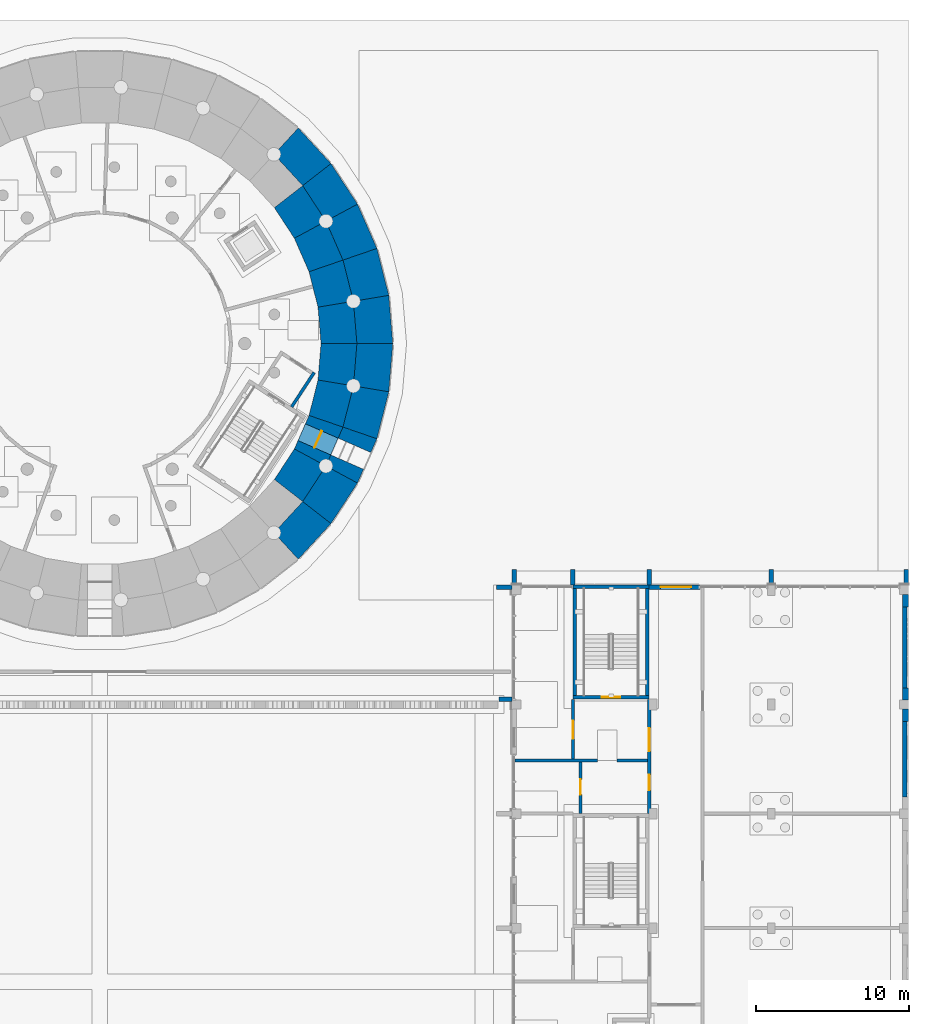
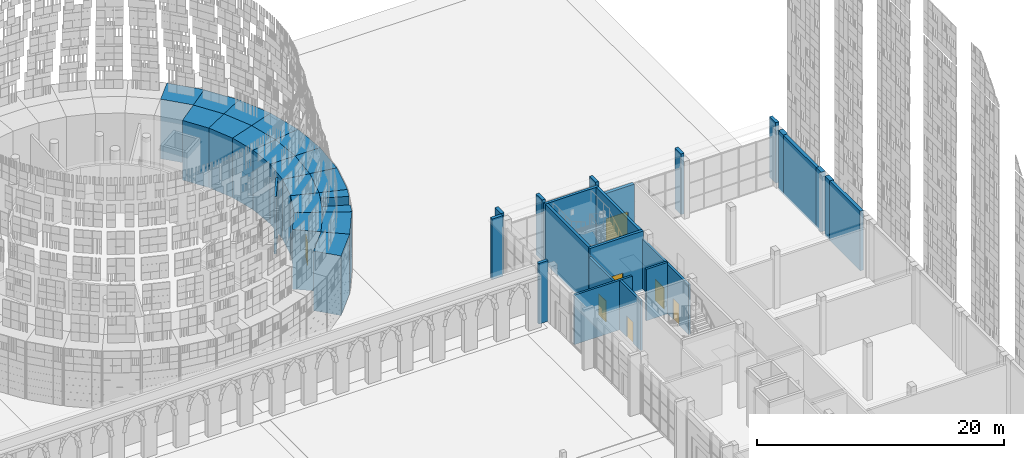
# One storey, part 59 of 125: 42 walls, 7 doors, 7 openings.
"""IFC4 building model written with IfcOpenShell, lengths in metres."""

from ifc_helpers import new_model, si_unit, direction, frame, frame_2d, origin, place, context, subcontext, project, spatial, polyline, rectangle, outline, extrude, material, layer, layer_set, type_object, element, fill, save


model = new_model("IFC4")

# Units and contexts
model_context = context("Model", 3, precision=1e-05, world=origin(), true_north=direction((0.0, 1.0)))
body_context = subcontext(model_context, "Body", "Model", "MODEL_VIEW")
ifc_project = project(units=[si_unit("LENGTHUNIT", "METRE"), si_unit("AREAUNIT", "SQUARE_METRE"), si_unit("VOLUMEUNIT", "CUBIC_METRE"), si_unit("PLANEANGLEUNIT", "RADIAN"), si_unit("MASSUNIT", "GRAM", prefix="KILO")], contexts=[model_context])

# Site, building, storey
site_placement = place(None, origin())
site = spatial("IfcSite", under=ifc_project, at=site_placement, CompositionType="ELEMENT")
building_placement = place(site_placement, origin())
building = spatial("IfcBuilding", under=site, at=building_placement, Name="Sun Court Science Centre", CompositionType="ELEMENT")
storey_placement = place(building_placement, origin())
storey = spatial("IfcBuildingStorey", under=building, at=storey_placement, Name="L00", CompositionType="ELEMENT", Elevation=0.0)

# Wall, opening, door
ifc_material_1 = material(Name="Clay masonry", Category="masonry")
ifc_layer_1 = layer(ifc_material_1, 0.300048828125)
ifc_layer_set_1 = layer_set([ifc_layer_1], Name="Clay masonry")
wall_type_1 = type_object("IfcWallType", Name="Clay masonry infill wall 300", PredefinedType="SOLIDWALL", material=ifc_layer_set_1)
wall_1_placement = place(storey_placement, frame((87.0, 80.85009765625, 0.0), z_axis=(0.0, 0.0, 1.0), x_axis=(1.0, 0.0, 0.0)))
wall_1 = element("IfcWall", 1, at=wall_1_placement, inside=storey, type_object=wall_type_1, Name="External infill wall L00 north face 01", PredefinedType="SOLIDWALL", context=body_context, shape_type="SweptSolid", body=[
    extrude(rectangle(XDim=3.31005859375, YDim=0.300048828125, at=frame_2d((1.655029296875, 0.0))), origin(), (0.0, 0.0, 1.0), 4.800048828125),
])
opening_1_placement = place(wall_1_placement, frame((0.75, 0.0, 0.0)))
opening_1 = element("IfcOpeningElement", 2, at=opening_1_placement, cuts=wall_1, Name="Opening D-L00-060", PredefinedType="OPENING", context=body_context, shape_type="SweptSolid", body=[
    extrude(rectangle(XDim=2.0, YDim=2.199951171875, at=frame_2d((1.0, 1.10009765625))), frame((0.0, 0.159912109375, 0.0), z_axis=(0.0, -1.0, 0.0), x_axis=(1.0, 0.0, 0.0)), (0.0, 0.0, 1.0), 0.320068359375),
])
ifc_material_2 = material(Name="Steel and glass", Category="steel")
door_type_1 = type_object("IfcDoorType", Name="Exterior door 2000 x 2200 double", OperationType="DOUBLE_DOOR_SINGLE_SWING", PredefinedType="DOOR", material=ifc_material_2)
door_1_placement = place(opening_1_placement, origin())
door_1 = element("IfcDoor", 3, at=door_1_placement, inside=storey, type_object=door_type_1, Name="Exterior door D-L00-060 to the rear service court", OperationType="SINGLE_SWING_LEFT", OverallHeight=2.199951171875, OverallWidth=2.0, PredefinedType="DOOR", context=body_context, shape_type="SweptSolid", body=[
    extrude(rectangle(XDim=2.0, YDim=2.199951171875, at=frame_2d((1.0, 1.10009765625))), frame((0.0, 0.02490234375, 0.0), z_axis=(0.0, -1.0, 0.0), x_axis=(1.0, 0.0, 0.0)), (0.0, 0.0, 1.0), 0.050048828125),
])
fill(opening_1, door_1)

# Walls
ifc_material_3 = material(Name="Concrete C30/37", Category="concrete")
ifc_layer_2 = layer(ifc_material_3, 0.300048828125)
ifc_layer_set_2 = layer_set([ifc_layer_2], Name="Concrete C30/37")
wall_type_2 = type_object("IfcWallType", Name="Facade fin RC 300", PredefinedType="SOLIDWALL", material=ifc_layer_set_2)
wall_2_placement = place(storey_placement, frame((77.14990234375, 73.5, 0.0), z_axis=(0.0, 0.0, 1.0), x_axis=(1.0, 0.0, 0.0)))
element("IfcWall", 4, at=wall_2_placement, inside=storey, type_object=wall_type_2, Name="Facade fin 10 L00", PredefinedType="SOLIDWALL", context=body_context, shape_type="SweptSolid", body=[
    extrude(rectangle(XDim=0.85009765625, YDim=0.300048828125, at=frame_2d((0.425048828125, 0.0))), origin(), (0.0, 0.0, 1.0), 6.0),
])
for number, where, z_axis, x_axis, name in (
    (5, (77.0, 80.85009765625, 0.0), (0.0, 0.0, 1.0), (1.0, 0.0, 0.0), "Facade fin 11 L00"),
    (6, (78.14990234375, 81.0, 0.0), (0.0, 0.0, 1.0), (0.0, 1.0, 0.0), "Facade fin north 01 L00"),
    (7, (82.0, 81.0, 0.0), (0.0, 0.0, 1.0), (0.0, 1.0, 0.0), "Facade fin north 02 L00"),
    (8, (87.0, 81.0, 0.0), (0.0, 0.0, 1.0), (0.0, 1.0, 0.0), "Facade fin north 03 L00"),
    (9, (95.0, 81.0, 0.0), (0.0, 0.0, 1.0), (0.0, 1.0, 0.0), "Facade fin north 04 L00"),
    (10, (103.85009765625, 81.0, 0.0), (0.0, 0.0, 1.0), (0.0, 1.0, 0.0), "Facade fin north 05 L00"),
):
    element("IfcWall", number, at=place(storey_placement, frame(where, z_axis=z_axis, x_axis=x_axis)), inside=storey, type_object=wall_type_2, Name=name, PredefinedType="SOLIDWALL", context=body_context, shape_type="SweptSolid", body=[
        extrude(rectangle(XDim=1.0, YDim=0.300048828125, at=frame_2d((0.5, 0.0))), origin(), (0.0, 0.0, 1.0), 6.0),
    ])
ifc_material_4 = material(Name="Concrete block", Category="concrete")
ifc_layer_3 = layer(ifc_material_4, 0.199951171875)
ifc_layer_set_3 = layer_set([ifc_layer_3], Name="Concrete block")
wall_type_3 = type_object("IfcWallType", Name="Partition 200 block EI60", PredefinedType="PARTITIONING", material=ifc_layer_set_3)
wall_3_placement = place(storey_placement, frame((78.199951171875, 69.5, 0.0), z_axis=(0.0, 0.0, 1.0), x_axis=(1.0, 0.0, 0.0)))
element("IfcWall", 11, at=wall_3_placement, inside=storey, type_object=wall_type_3, Name="L00 partition 015", PredefinedType="PARTITIONING", context=body_context, shape_type="SweptSolid", body=[
    extrude(rectangle(XDim=5.400146484375, YDim=0.199951171875, at=frame_2d((2.7001953125, 0.0))), origin(), (0.0, 0.0, 1.0), 4.89990234375),
])
wall_4_placement = place(storey_placement, frame((84.89990234375, 69.5, 0.0), z_axis=(0.0, 0.0, 1.0), x_axis=(1.0, 0.0, 0.0)))
element("IfcWall", 12, at=wall_4_placement, inside=storey, type_object=wall_type_3, Name="L00 partition 016", PredefinedType="PARTITIONING", context=body_context, shape_type="SweptSolid", body=[
    extrude(rectangle(XDim=2.0, YDim=0.199951171875, at=frame_2d((1.0, 0.0))), origin(), (0.0, 0.0, 1.0), 5.10009765625),
])
wall_5_placement = place(storey_placement, frame((63.572509765625, 92.64990234375, 0.0), z_axis=(0.0, 0.0, 1.0), x_axis=(0.546949429649, 0.837165647532, 0.0)))
element("IfcWall", 13, at=wall_5_placement, inside=storey, type_object=wall_type_3, Name="L00 partition 013", PredefinedType="PARTITIONING", context=body_context, shape_type="SweptSolid", body=[
    extrude(rectangle(XDim=2.69775390625, YDim=0.199951171875, at=frame_2d((1.348876953125, 0.0))), origin(), (0.0, 0.0, 1.0), 5.699951171875),
])

# Wall, opening, door
wall_6_placement = place(storey_placement, frame((82.5, 66.001953125, 0.0), z_axis=(0.0, 0.0, 1.0), x_axis=(0.0, 1.0, 0.0)))
wall_6 = element("IfcWall", 14, at=wall_6_placement, inside=storey, type_object=wall_type_3, Name="L00 partition 024", PredefinedType="PARTITIONING", context=body_context, shape_type="SweptSolid", body=[
    extrude(rectangle(XDim=3.39794921875, YDim=0.199951171875, at=frame_2d((1.698974609375, 0.0))), origin(), (0.0, 0.0, 1.0), 4.89990234375),
])
opening_2_placement = place(wall_6_placement, frame((1.248046875, 0.0, 0.0)))
opening_2 = element("IfcOpeningElement", 15, at=opening_2_placement, cuts=wall_6, Name="Opening D-L00-049", PredefinedType="OPENING", context=body_context, shape_type="SweptSolid", body=[
    extrude(rectangle(XDim=1.0, YDim=2.10009765625, at=frame_2d((0.5, 1.050048828125))), frame((0.0, 0.10986328125, 0.0), z_axis=(0.0, -1.0, 0.0), x_axis=(1.0, 0.0, 0.0)), (0.0, 0.0, 1.0), 0.219970703125),
])
ifc_material_5 = material(Name="Steel", Category="steel")
door_type_2 = type_object("IfcDoorType", Name="Door 1000x2100 single leaf FD60", OperationType="NOTDEFINED", PredefinedType="DOOR", material=ifc_material_5)
door_2_placement = place(opening_2_placement, origin())
door_2 = element("IfcDoor", 16, at=door_2_placement, inside=storey, type_object=door_type_2, Name="Door D-L00-049", OperationType="SINGLE_SWING_LEFT", OverallHeight=2.10009765625, OverallWidth=1.0, PredefinedType="DOOR", context=body_context, shape_type="SweptSolid", body=[
    extrude(rectangle(XDim=1.0, YDim=2.10009765625, at=frame_2d((0.5, 1.050048828125))), frame((0.0, 0.02490234375, 0.0), z_axis=(0.0, -1.0, 0.0), x_axis=(1.0, 0.0, 0.0)), (0.0, 0.0, 1.0), 0.050048828125),
])
fill(opening_2, door_2)

wall_7_placement = place(storey_placement, frame((82.0, 69.60009765625, 0.0), z_axis=(0.0, 0.0, 1.0), x_axis=(0.0, 1.0, 0.0)))
wall_7 = element("IfcWall", 17, at=wall_7_placement, inside=storey, type_object=wall_type_3, Name="L00 partition 027", PredefinedType="PARTITIONING", context=body_context, shape_type="SweptSolid", body=[
    extrude(rectangle(XDim=3.89794921875, YDim=0.199951171875, at=frame_2d((1.948974609375, 0.0))), origin(), (0.0, 0.0, 1.0), 4.89990234375),
])
opening_3_placement = place(wall_7_placement, frame((1.301025390625, 0.0, 0.0)))
opening_3 = element("IfcOpeningElement", 18, at=opening_3_placement, cuts=wall_7, Name="Opening D-L00-051", PredefinedType="OPENING", context=body_context, shape_type="SweptSolid", body=[
    extrude(rectangle(XDim=1.199951171875, YDim=2.10009765625, at=frame_2d((0.60009765625, 1.050048828125))), frame((0.0, 0.10986328125, 0.0), z_axis=(0.0, -1.0, 0.0), x_axis=(1.0, 0.0, 0.0)), (0.0, 0.0, 1.0), 0.219970703125),
])
ifc_material_6 = material(Name="Timber", Category="wood")
door_type_3 = type_object("IfcDoorType", Name="Door 1200x2100 single leaf", OperationType="NOTDEFINED", PredefinedType="DOOR", material=ifc_material_6)
door_3_placement = place(opening_3_placement, origin())
door_3 = element("IfcDoor", 19, at=door_3_placement, inside=storey, type_object=door_type_3, Name="Door D-L00-051", OperationType="SINGLE_SWING_RIGHT", OverallHeight=2.10009765625, OverallWidth=1.199951171875, PredefinedType="DOOR", context=body_context, shape_type="SweptSolid", body=[
    extrude(rectangle(XDim=1.199951171875, YDim=2.10009765625, at=frame_2d((0.60009765625, 1.050048828125))), frame((0.0, 0.02490234375, 0.0), z_axis=(0.0, -1.0, 0.0), x_axis=(1.0, 0.0, 0.0)), (0.0, 0.0, 1.0), 0.050048828125),
])
fill(opening_3, door_3)

# Wall, openings, doors
ifc_material_7 = material(Name="Concrete block", Category="concrete")
ifc_layer_4 = layer(ifc_material_7, 0.199951171875)
ifc_layer_set_4 = layer_set([ifc_layer_4], Name="Concrete block")
wall_type_4 = type_object("IfcWallType", Name="Partition 200 corridor block EI120", PredefinedType="PARTITIONING", material=ifc_layer_set_4)
wall_8_placement = place(storey_placement, frame((87.0, 66.001953125, 0.0), z_axis=(0.0, 0.0, 1.0), x_axis=(0.0, 1.0, 0.0)))
wall_8 = element("IfcWall", 20, at=wall_8_placement, inside=storey, type_object=wall_type_4, Name="L00 partition 023", PredefinedType="PARTITIONING", context=body_context, shape_type="SweptSolid", body=[
    extrude(rectangle(XDim=7.49609375, YDim=0.199951171875, at=frame_2d((3.748046875, 0.0))), origin(), (0.0, 0.0, 1.0), 4.89990234375),
])
opening_4_placement = place(wall_8_placement, frame((4.097900390625, 0.0, 0.0)))
opening_4 = element("IfcOpeningElement", 21, at=opening_4_placement, cuts=wall_8, Name="Opening D-L00-041", PredefinedType="OPENING", context=body_context, shape_type="SweptSolid", body=[
    extrude(rectangle(XDim=1.5, YDim=2.10009765625, at=frame_2d((0.75, 1.050048828125))), frame((0.0, 0.10986328125, 0.0), z_axis=(0.0, -1.0, 0.0), x_axis=(1.0, 0.0, 0.0)), (0.0, 0.0, 1.0), 0.219970703125),
])
opening_5_placement = place(wall_8_placement, frame((1.548095703125, 0.0, 0.0)))
opening_5 = element("IfcOpeningElement", 22, at=opening_5_placement, cuts=wall_8, Name="Opening D-L00-050", PredefinedType="OPENING", context=body_context, shape_type="SweptSolid", body=[
    extrude(rectangle(XDim=1.0, YDim=2.10009765625, at=frame_2d((0.5, 1.050048828125))), frame((0.0, 0.10986328125, 0.0), z_axis=(0.0, -1.0, 0.0), x_axis=(1.0, 0.0, 0.0)), (0.0, 0.0, 1.0), 0.219970703125),
])
door_4_placement = place(opening_5_placement, origin())
door_4 = element("IfcDoor", 23, at=door_4_placement, inside=storey, type_object=door_type_2, Name="Door D-L00-050", OperationType="SINGLE_SWING_RIGHT", OverallHeight=2.10009765625, OverallWidth=1.0, PredefinedType="DOOR", context=body_context, shape_type="SweptSolid", body=[
    extrude(rectangle(XDim=1.0, YDim=2.10009765625, at=frame_2d((0.5, 1.050048828125))), frame((0.0, 0.02490234375, 0.0), z_axis=(0.0, -1.0, 0.0), x_axis=(1.0, 0.0, 0.0)), (0.0, 0.0, 1.0), 0.050048828125),
])
fill(opening_5, door_4)
ifc_material_8 = material(Name="Steel", Category="steel")
door_type_4 = type_object("IfcDoorType", Name="Door 1500x2100 double leaf FD60", OperationType="DOUBLE_DOOR_SINGLE_SWING", PredefinedType="DOOR", material=ifc_material_8)
door_5_placement = place(opening_4_placement, origin())
door_5 = element("IfcDoor", 24, at=door_5_placement, inside=storey, type_object=door_type_4, Name="Door D-L00-041", OperationType="DOUBLE_DOOR_SINGLE_SWING", OverallHeight=2.10009765625, OverallWidth=1.5, PredefinedType="DOOR", context=body_context, shape_type="SweptSolid", body=[
    extrude(rectangle(XDim=1.5, YDim=2.10009765625, at=frame_2d((0.75, 1.050048828125))), frame((0.0, 0.02490234375, 0.0), z_axis=(0.0, -1.0, 0.0), x_axis=(1.0, 0.0, 0.0)), (0.0, 0.0, 1.0), 0.050048828125),
])
fill(opening_4, door_5)

# Walls
ifc_material_9 = material(Name="Concrete C30/37", Category="concrete")
ifc_layer_5 = layer(ifc_material_9, 2.343017578125)
ifc_layer_set_5 = layer_set([ifc_layer_5], Name="Concrete C30/37")
wall_type_5 = type_object("IfcWallType", Name="RC drum wall exterior 2343", PredefinedType="SHEAR", material=ifc_layer_set_5)
wall_9_placement = place(storey_placement, frame((68.802490234375, 99.672607421875, -0.199951171875), z_axis=(0.0, 0.0, 1.0), x_axis=(-0.245451175142, 0.969408954271, 0.0)))
element("IfcWall", 25, at=wall_9_placement, inside=storey, type_object=wall_type_5, Name="Drum wall L00 course 1 segment 1", PredefinedType="SHEAR", context=body_context, shape_type="SweptSolid", body=[
    extrude(outline(polyline([(0.0, -1.17138671875), (3.171142578125, -1.17138671875), (2.97705078125, 1.17138671875), (0.194091796875, 1.17138671875), (0.0, -1.17138671875)])), origin(), (0.0, 0.0, 1.0), 5.89990234375),
])
wall_10_placement = place(storey_placement, frame((68.0869140625, 102.563720703125, -0.199951171875), z_axis=(0.0, 0.0, 1.0), x_axis=(-0.401683019395, 0.915778768006, 0.0)))
element("IfcWall", 26, at=wall_10_placement, inside=storey, type_object=wall_type_5, Name="Drum wall L00 course 1 segment 2", PredefinedType="SHEAR", context=body_context, shape_type="SweptSolid", body=[
    extrude(outline(polyline([(0.0, -1.17138671875), (3.1708984375, -1.17138671875), (2.976806640625, 1.17138671875), (0.194091796875, 1.17138671875), (0.0, -1.17138671875)])), origin(), (0.0, 0.0, 1.0), 5.89990234375),
])
wall_11_placement = place(storey_placement, frame((66.9052734375, 105.297607421875, -0.199951171875), z_axis=(0.0, 0.0, 1.0), x_axis=(-0.546965131946, 0.837155388464, 0.0)))
element("IfcWall", 27, at=wall_11_placement, inside=storey, type_object=wall_type_5, Name="Drum wall L00 course 1 segment 3", PredefinedType="SHEAR", context=body_context, shape_type="SweptSolid", body=[
    extrude(outline(polyline([(0.0, -1.17138671875), (3.1708984375, -1.171630859375), (2.976806640625, 1.17138671875), (0.194091796875, 1.171630859375), (0.0, -1.17138671875)])), origin(), (0.0, 0.0, 1.0), 5.89990234375),
])
wall_12_placement = place(storey_placement, frame((65.28955078125, 107.799560546875, -0.199951171875), z_axis=(0.0, 0.0, 1.0), x_axis=(-0.677243324002, 0.735759118254, 0.0)))
element("IfcWall", 28, at=wall_12_placement, inside=storey, type_object=wall_type_5, Name="Drum wall L00 course 1 segment 4", PredefinedType="SHEAR", context=body_context, shape_type="SweptSolid", body=[
    extrude(outline(polyline([(0.0, -1.171630859375), (3.1708984375, -1.17138671875), (2.976806640625, 1.171630859375), (0.19384765625, 1.17138671875), (0.0, -1.171630859375)])), origin(), (0.0, 0.0, 1.0), 5.89990234375),
])
wall_13_placement = place(storey_placement, frame((63.14208984375, 83.467529296875, -0.199951171875), z_axis=(0.0, 0.0, 1.0), x_axis=(0.677243324002, 0.735759118254, 0.0)))
element("IfcWall", 29, at=wall_13_placement, inside=storey, type_object=wall_type_5, Name="Drum wall L00 course 1 segment 33", PredefinedType="SHEAR", context=body_context, shape_type="SweptSolid", body=[
    extrude(outline(polyline([(-0.000244140625, -1.17138671875), (3.1708984375, -1.171630859375), (2.976806640625, 1.171142578125), (0.194091796875, 1.171630859375), (-0.000244140625, -1.17138671875)])), origin(), (0.0, 0.0, 1.0), 5.89990234375),
])
wall_14_placement = place(storey_placement, frame((65.1708984375, 85.647705078125, -0.199951171875), z_axis=(0.0, 0.0, 1.0), x_axis=(0.546929878596, 0.837178420588, 0.0)))
element("IfcWall", 30, at=wall_14_placement, inside=storey, type_object=wall_type_5, Name="Drum wall L00 course 1 segment 34", PredefinedType="SHEAR", context=body_context, shape_type="SweptSolid", body=[
    extrude(outline(polyline([(0.0, -1.17138671875), (3.171142578125, -1.17138671875), (2.97705078125, 1.171630859375), (0.194091796875, 1.17138671875), (0.0, -1.17138671875)])), origin(), (0.0, 0.0, 1.0), 5.89990234375),
])
wall_15_placement = place(storey_placement, frame((68.024169921875, 90.853271484375, -0.199951171875), z_axis=(0.0, 0.0, 1.0), x_axis=(0.245451175142, 0.969408954271, 0.0)))
element("IfcWall", 31, at=wall_15_placement, inside=storey, type_object=wall_type_5, Name="Drum wall L00 course 1 segment 36", PredefinedType="SHEAR", context=body_context, shape_type="SweptSolid", body=[
    extrude(outline(polyline([(0.000244140625, -1.17138671875), (3.171142578125, -1.17138671875), (2.976806640625, 1.17138671875), (0.1943359375, 1.17138671875), (0.000244140625, -1.17138671875)])), origin(), (0.0, 0.0, 1.0), 5.89990234375),
])
wall_16_placement = place(storey_placement, frame((68.770751953125, 93.736572265625, -0.199951171875), z_axis=(0.0, 0.0, 1.0), x_axis=(0.082535726981, 0.996588106377, 0.0)))
element("IfcWall", 32, at=wall_16_placement, inside=storey, type_object=wall_type_5, Name="Drum wall L00 course 1 segment 37", PredefinedType="SHEAR", context=body_context, shape_type="SweptSolid", body=[
    extrude(outline(polyline([(0.0, -1.171142578125), (3.1708984375, -1.17138671875), (2.97705078125, 1.17138671875), (0.194091796875, 1.17138671875), (0.0, -1.171142578125)])), origin(), (0.0, 0.0, 1.0), 5.89990234375),
])
wall_17_placement = place(storey_placement, frame((69.032470703125, 96.703369140625, -0.199951171875), z_axis=(0.0, 0.0, 1.0), x_axis=(-0.082535726981, 0.996588106377, 0.0)))
element("IfcWall", 33, at=wall_17_placement, inside=storey, type_object=wall_type_5, Name="Drum wall L00 course 1 segment 38", PredefinedType="SHEAR", context=body_context, shape_type="SweptSolid", body=[
    extrude(outline(polyline([(0.0, -1.17138671875), (3.1708984375, -1.171142578125), (2.976806640625, 1.17138671875), (0.194091796875, 1.17138671875), (0.0, -1.17138671875)])), origin(), (0.0, 0.0, 1.0), 5.89990234375),
])
wall_18_placement = place(storey_placement, frame((66.48388671875, 99.28564453125, -0.199951171875), z_axis=(0.0, 0.0, 1.0), x_axis=(-0.245548138537, 0.969384398297, 0.0)))
element("IfcWall", 34, at=wall_18_placement, inside=storey, type_object=wall_type_5, Name="Drum wall L00 course 1 inner ring segment 1", PredefinedType="SHEAR", context=body_context, shape_type="SweptSolid", body=[
    extrude(outline(polyline([(0.0, -1.17138671875), (2.782958984375, -1.171630859375), (2.5888671875, 1.17138671875), (0.1943359375, 1.171630859375), (0.0, -1.17138671875)])), origin(), (0.0, 0.0, 1.0), 5.89990234375),
])
wall_19_placement = place(storey_placement, frame((65.863525390625, 101.80029296875, -0.199951171875), z_axis=(0.0, 0.0, 1.0), x_axis=(-0.401729909484, 0.915758199431, 0.0)))
element("IfcWall", 35, at=wall_19_placement, inside=storey, type_object=wall_type_5, Name="Drum wall L00 course 1 inner ring segment 2", PredefinedType="SHEAR", context=body_context, shape_type="SweptSolid", body=[
    extrude(outline(polyline([(0.0, -1.17138671875), (2.782958984375, -1.17138671875), (2.5888671875, 1.171142578125), (0.1943359375, 1.171630859375), (0.0, -1.17138671875)])), origin(), (0.0, 0.0, 1.0), 5.89990234375),
])
wall_20_placement = place(storey_placement, frame((64.837646484375, 104.1787109375, -0.199951171875), z_axis=(0.0, 0.0, 1.0), x_axis=(-0.54694202516, 0.837170485095, 0.0)))
element("IfcWall", 36, at=wall_20_placement, inside=storey, type_object=wall_type_5, Name="Drum wall L00 course 1 inner ring segment 3", PredefinedType="SHEAR", context=body_context, shape_type="SweptSolid", body=[
    extrude(outline(polyline([(0.0, -1.17138671875), (2.78271484375, -1.17138671875), (2.588623046875, 1.17138671875), (0.19384765625, 1.17138671875), (0.0, -1.17138671875)])), origin(), (0.0, 0.0, 1.0), 5.89990234375),
])
wall_21_placement = place(storey_placement, frame((63.315673828125, 87.091796875, -0.199951171875), z_axis=(0.0, 0.0, 1.0), x_axis=(0.54694202516, 0.837170485095, 0.0)))
element("IfcWall", 37, at=wall_21_placement, inside=storey, type_object=wall_type_5, Name="Drum wall L00 course 1 inner ring segment 34", PredefinedType="SHEAR", context=body_context, shape_type="SweptSolid", body=[
    extrude(outline(polyline([(-0.000244140625, -1.171630859375), (2.78271484375, -1.17138671875), (2.588623046875, 1.17138671875), (0.194091796875, 1.17138671875), (-0.000244140625, -1.171630859375)])), origin(), (0.0, 0.0, 1.0), 5.89990234375),
])
wall_22_placement = place(storey_placement, frame((65.800537109375, 91.61669921875, -0.199951171875), z_axis=(0.0, 0.0, 1.0), x_axis=(0.245569021983, 0.969379108214, 0.0)))
element("IfcWall", 38, at=wall_22_placement, inside=storey, type_object=wall_type_5, Name="Drum wall L00 course 1 inner ring segment 36", PredefinedType="SHEAR", context=body_context, shape_type="SweptSolid", body=[
    extrude(outline(polyline([(0.0, -1.171630859375), (2.78271484375, -1.17138671875), (2.588623046875, 1.171630859375), (0.19384765625, 1.17138671875), (0.0, -1.171630859375)])), origin(), (0.0, 0.0, 1.0), 5.89990234375),
])
wall_23_placement = place(storey_placement, frame((66.451904296875, 94.12353515625, -0.199951171875), z_axis=(0.0, 0.0, 1.0), x_axis=(0.082558992404, 0.996586179301, 0.0)))
element("IfcWall", 39, at=wall_23_placement, inside=storey, type_object=wall_type_5, Name="Drum wall L00 course 1 inner ring segment 37", PredefinedType="SHEAR", context=body_context, shape_type="SweptSolid", body=[
    extrude(outline(polyline([(-0.000244140625, -1.17138671875), (2.78271484375, -1.17138671875), (2.588623046875, 1.17138671875), (0.1943359375, 1.17138671875), (-0.000244140625, -1.17138671875)])), origin(), (0.0, 0.0, 1.0), 5.89990234375),
])
wall_24_placement = place(storey_placement, frame((66.681640625, 96.703369140625, -0.199951171875), z_axis=(0.0, 0.0, 1.0), x_axis=(-0.082558992404, 0.996586179301, 0.0)))
element("IfcWall", 40, at=wall_24_placement, inside=storey, type_object=wall_type_5, Name="Drum wall L00 course 1 inner ring segment 38", PredefinedType="SHEAR", context=body_context, shape_type="SweptSolid", body=[
    extrude(outline(polyline([(0.0, -1.17138671875), (2.78271484375, -1.17138671875), (2.58837890625, 1.17138671875), (0.194091796875, 1.17138671875), (0.0, -1.17138671875)])), origin(), (0.0, 0.0, 1.0), 5.89990234375),
])

# Wall, opening, door
wall_25_placement = place(storey_placement, frame((65.863525390625, 91.799560546875, -0.199951171875), z_axis=(0.0, 0.0, 1.0), x_axis=(-0.401729909484, -0.915758199431, 0.0)))
wall_25 = element("IfcWall", 41, at=wall_25_placement, inside=storey, type_object=wall_type_5, Name="Drum wall L00 course 1 segment 35", PredefinedType="SHEAR", context=body_context, shape_type="SweptSolid", body=[
    extrude(outline(polyline([(2.78271484375, 1.17138671875), (-0.000244140625, 1.17138671875), (0.1943359375, -1.171630859375), (2.588623046875, -1.17138671875), (2.78271484375, 1.17138671875)])), origin(), (0.0, 0.0, 1.0), 5.89990234375),
])
opening_6_placement = place(wall_25_placement, frame((0.791259765625, 0.0, 0.199951171875)))
opening_6 = element("IfcOpeningElement", 42, at=opening_6_placement, cuts=wall_25, Name="Opening D-L00-097", PredefinedType="OPENING", context=body_context, shape_type="SweptSolid", body=[
    extrude(rectangle(XDim=1.199951171875, YDim=2.199951171875, at=frame_2d((0.60009765625, 1.10009765625))), frame((0.0, 1.181396484375, 0.0), z_axis=(0.0, -1.0, 0.0), x_axis=(1.0, 0.0, 0.0)), (0.0, 0.0, 1.0), 2.36279296875),
])
ifc_material_10 = material(Name="Steel and glass", Category="steel")
door_type_5 = type_object("IfcDoorType", Name="Exterior door 1200 x 2200 single", OperationType="SINGLE_SWING_LEFT", PredefinedType="DOOR", material=ifc_material_10)
door_6_placement = place(opening_6_placement, origin())
door_6 = element("IfcDoor", 43, at=door_6_placement, inside=storey, type_object=door_type_5, Name="Exterior door D-L00-097 to the sun court", OperationType="SINGLE_SWING_LEFT", OverallHeight=2.199951171875, OverallWidth=1.199951171875, PredefinedType="DOOR", context=body_context, shape_type="SweptSolid", body=[
    extrude(rectangle(XDim=1.199951171875, YDim=2.199951171875, at=frame_2d((0.60009765625, 1.10009765625))), frame((0.0, 0.02490234375, 0.0), z_axis=(0.0, -1.0, 0.0), x_axis=(1.0, 0.0, 0.0)), (0.0, 0.0, 1.0), 0.050048828125),
])
fill(opening_6, door_6)

# Walls
wall_26_placement = place(storey_placement, frame((66.813232421875, 88.13232421875, -0.199951171875), z_axis=(0.0, 0.0, 1.0), x_axis=(0.401559436227, 0.91583296467, 0.0)))
element("IfcWall", 44, at=wall_26_placement, inside=storey, type_object=wall_type_5, Name="Drum wall L00 course 1 segment 35 entrance recess", PredefinedType="SHEAR", context=body_context, shape_type="SweptSolid", body=[
    extrude(outline(polyline([(0.0, -1.17138671875), (-0.000244140625, -1.171142578125), (0.1943359375, 1.171630859375), (0.98583984375, 1.17138671875), (0.9853515625, -1.17138671875), (0.0, -1.17138671875)])), origin(), (0.0, 0.0, 1.0), 5.89990234375),
])
wall_27_placement = place(storey_placement, frame((67.691162109375, 90.1337890625, -0.199951171875), z_axis=(0.0, 0.0, 1.0), x_axis=(0.401559436227, 0.91583296467, 0.0)))
element("IfcWall", 45, at=wall_27_placement, inside=storey, type_object=wall_type_5, Name="Drum wall L00 course 1 segment 35 entrance recess", PredefinedType="SHEAR", context=body_context, shape_type="SweptSolid", body=[
    extrude(outline(polyline([(0.0, -1.17138671875), (0.000244140625, 1.17138671875), (0.79150390625, 1.17138671875), (0.9853515625, -1.1708984375), (0.9853515625, -1.17138671875), (0.0, -1.17138671875)])), origin(), (0.0, 0.0, 1.0), 5.89990234375),
])
ifc_material_11 = material(Name="Concrete C30/37", Category="concrete")
ifc_layer_6 = layer(ifc_material_11, 0.39990234375)
ifc_layer_set_6 = layer_set([ifc_layer_6], Name="Concrete C30/37")
wall_type_6 = type_object("IfcWallType", Name="RC party wall exterior 400", PredefinedType="SOLIDWALL", material=ifc_layer_set_6)
for number, where, z_axis, x_axis, name in (
    (46, (103.800048828125, 72.050048828125, -0.199951171875), (0.0, 0.0, 1.0), (0.0, 1.0, 0.0), "East party wall L00"),
    (47, (103.800048828125, 73.449951171875, -0.199951171875), (0.0, 0.0, 1.0), (0.0, 1.0, 0.0), "East party wall L00"),
    (48, (103.800048828125, 79.550048828125, -0.199951171875), (0.0, 0.0, 1.0), (0.0, 1.0, 0.0), "East party wall L00"),
):
    element("IfcWall", number, at=place(storey_placement, frame(where, z_axis=z_axis, x_axis=x_axis)), inside=storey, type_object=wall_type_6, Name=name, PredefinedType="SOLIDWALL", context=body_context, shape_type="SweptSolid", body=[
        extrude(rectangle(XDim=0.800048828125, YDim=0.39990234375, at=frame_2d((0.39990234375, 0.0))), origin(), (0.0, 0.0, 1.0), 5.89990234375),
    ])
ifc_material_12 = material(Name="Concrete C30/37", Category="concrete")
ifc_layer_7 = layer(ifc_material_12, 0.300048828125)
ifc_layer_set_7 = layer_set([ifc_layer_7], Name="Concrete C30/37")
wall_type_7 = type_object("IfcWallType", Name="RC party wall panel exterior 300", PredefinedType="SOLIDWALL", material=ifc_layer_set_7)
wall_28_placement = place(storey_placement, frame((103.75, 67.10009765625, -0.199951171875), z_axis=(0.0, 0.0, 1.0), x_axis=(0.0, 1.0, 0.0)))
element("IfcWall", 49, at=wall_28_placement, inside=storey, type_object=wall_type_7, Name="East party wall L00 panel", PredefinedType="SOLIDWALL", context=body_context, shape_type="SweptSolid", body=[
    extrude(rectangle(XDim=4.949951171875, YDim=0.300048828125, at=frame_2d((2.47509765625, 0.0))), origin(), (0.0, 0.0, 1.0), 5.89990234375),
])
wall_29_placement = place(storey_placement, frame((103.75, 74.25, -0.199951171875), z_axis=(0.0, 0.0, 1.0), x_axis=(0.0, 1.0, 0.0)))
element("IfcWall", 50, at=wall_29_placement, inside=storey, type_object=wall_type_7, Name="East party wall L00 panel", PredefinedType="SOLIDWALL", context=body_context, shape_type="SweptSolid", body=[
    extrude(rectangle(XDim=5.300048828125, YDim=0.300048828125, at=frame_2d((2.64990234375, 0.0))), origin(), (0.0, 0.0, 1.0), 5.89990234375),
])

# Wall, opening, door
ifc_material_13 = material(Name="Concrete C30/37", Category="concrete")
ifc_layer_8 = layer(ifc_material_13, 0.25)
ifc_layer_set_8 = layer_set([ifc_layer_8], Name="Concrete C30/37")
wall_type_8 = type_object("IfcWallType", Name="RC stair core wall 250", PredefinedType="SHEAR", material=ifc_layer_set_8)
wall_30_placement = place(storey_placement, frame((82.0, 73.625, -0.199951171875), z_axis=(0.0, 0.0, 1.0), x_axis=(1.0, 0.0, 0.0)))
wall_30 = element("IfcWall", 51, at=wall_30_placement, inside=storey, type_object=wall_type_8, Name="Stair core SL4 wall S, L00", PredefinedType="SHEAR", context=body_context, shape_type="SweptSolid", body=[
    extrude(rectangle(XDim=5.0, YDim=0.25, at=frame_2d((2.5, 0.0))), origin(), (0.0, 0.0, 1.0), 5.89990234375),
])
opening_7_placement = place(wall_30_placement, frame((1.89990234375, 0.0, 0.199951171875)))
opening_7 = element("IfcOpeningElement", 52, at=opening_7_placement, cuts=wall_30, Name="Opening D-L00-040", PredefinedType="OPENING", context=body_context, shape_type="SweptSolid", body=[
    extrude(rectangle(XDim=1.199951171875, YDim=2.199951171875, at=frame_2d((0.60009765625, 1.10009765625))), frame((0.0, 0.135009765625, 0.0), z_axis=(0.0, -1.0, 0.0), x_axis=(1.0, 0.0, 0.0)), (0.0, 0.0, 1.0), 0.27001953125),
])
ifc_material_14 = material(Name="Steel", Category="steel")
door_type_6 = type_object("IfcDoorType", Name="Door 1200x2200 single leaf FD60", OperationType="NOTDEFINED", PredefinedType="DOOR", material=ifc_material_14)
door_7_placement = place(opening_7_placement, origin())
door_7 = element("IfcDoor", 53, at=door_7_placement, inside=storey, type_object=door_type_6, Name="Door D-L00-040", OperationType="SINGLE_SWING_LEFT", OverallHeight=2.199951171875, OverallWidth=1.199951171875, PredefinedType="DOOR", context=body_context, shape_type="SweptSolid", body=[
    extrude(rectangle(XDim=1.199951171875, YDim=2.199951171875, at=frame_2d((0.60009765625, 1.10009765625))), frame((0.0, 0.02490234375, 0.0), z_axis=(0.0, -1.0, 0.0), x_axis=(1.0, 0.0, 0.0)), (0.0, 0.0, 1.0), 0.050048828125),
])
fill(opening_7, door_7)

# Walls
wall_31_placement = place(storey_placement, frame((86.875, 73.75, -0.199951171875), z_axis=(0.0, 0.0, 1.0), x_axis=(0.0, 1.0, 0.0)))
element("IfcWall", 54, at=wall_31_placement, inside=storey, type_object=wall_type_8, Name="Stair core SL4 wall E, L00", PredefinedType="SHEAR", context=body_context, shape_type="SweptSolid", body=[
    extrude(rectangle(XDim=7.0, YDim=0.25, at=frame_2d((3.5, 0.0))), origin(), (0.0, 0.0, 1.0), 5.89990234375),
])
wall_32_placement = place(storey_placement, frame((82.0, 80.875, -0.199951171875), z_axis=(0.0, 0.0, 1.0), x_axis=(1.0, 0.0, 0.0)))
element("IfcWall", 55, at=wall_32_placement, inside=storey, type_object=wall_type_8, Name="Stair core SL4 wall N, L00", PredefinedType="SHEAR", context=body_context, shape_type="SweptSolid", body=[
    extrude(rectangle(XDim=5.0, YDim=0.25, at=frame_2d((2.5, 0.0))), origin(), (0.0, 0.0, 1.0), 5.89990234375),
])
wall_33_placement = place(storey_placement, frame((82.125, 73.75, -0.199951171875), z_axis=(0.0, 0.0, 1.0), x_axis=(0.0, 1.0, 0.0)))
element("IfcWall", 56, at=wall_33_placement, inside=storey, type_object=wall_type_8, Name="Stair core SL4 wall W, L00", PredefinedType="SHEAR", context=body_context, shape_type="SweptSolid", body=[
    extrude(rectangle(XDim=7.0, YDim=0.25, at=frame_2d((3.5, 0.0))), origin(), (0.0, 0.0, 1.0), 5.89990234375),
])

save(model, "model.ifc")
